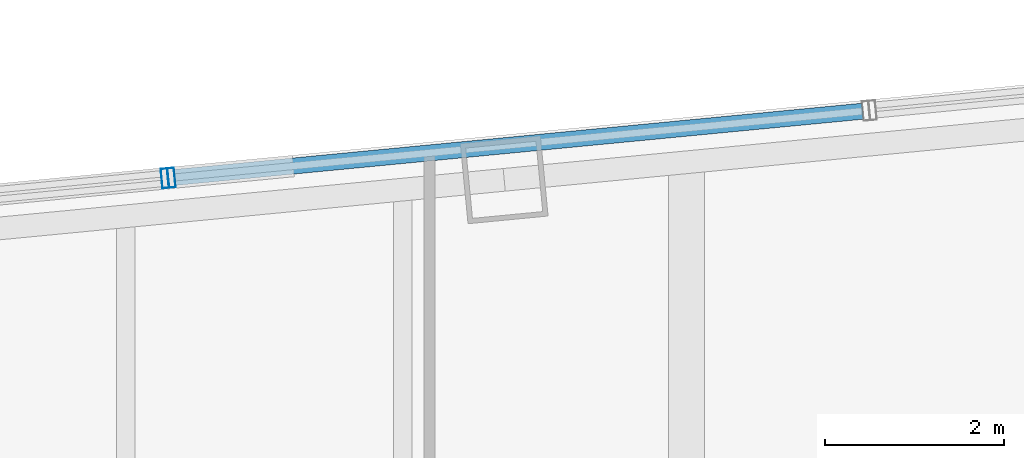
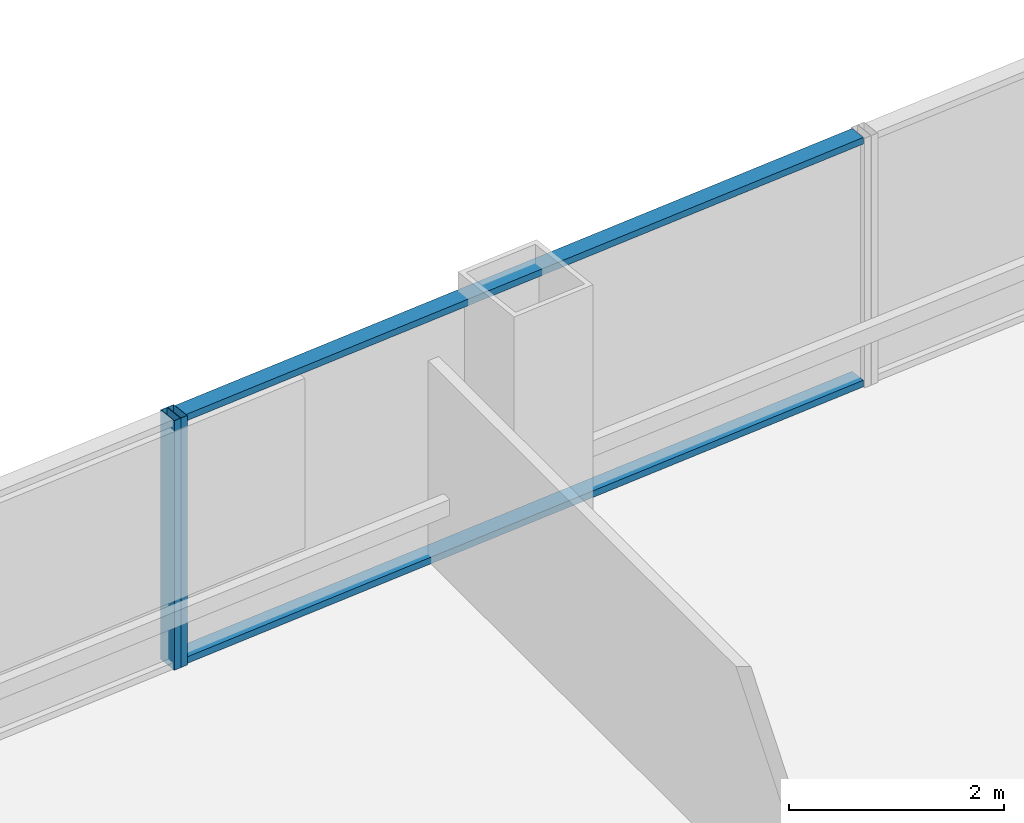
# One storey, part 22 of 32: 4 members, 2 elements without a shape of their own.
"""IFC4 building model written with IfcOpenShell, lengths in metres."""

from ifc_helpers import new_model, si_unit, direction, frame, origin, origin_2d, place, context, subcontext, project, spatial, hollow_rectangle, extrude, material, layer, layer_set, material_profile, profile_set, type_object, element, aggregate, save


model = new_model("IFC4")

# Units and contexts
model_context = context("Model", 3, precision=1e-05, world=origin(), true_north=direction((0.0, 1.0)))
body_context = subcontext(model_context, "Body", "Model", "MODEL_VIEW")
ifc_project = project(units=[si_unit("LENGTHUNIT", "METRE"), si_unit("AREAUNIT", "SQUARE_METRE"), si_unit("VOLUMEUNIT", "CUBIC_METRE"), si_unit("PLANEANGLEUNIT", "RADIAN"), si_unit("MASSUNIT", "GRAM", prefix="KILO")], contexts=[model_context])

# Site, building, storey
site_placement = place(None, origin())
site = spatial("IfcSite", under=ifc_project, at=site_placement, CompositionType="ELEMENT")
building_placement = place(site_placement, origin())
building = spatial("IfcBuilding", under=site, at=building_placement, Name="Qhalaya Broadcast Tower", CompositionType="ELEMENT")
storey_placement = place(building_placement, frame((0.0, 0.0, 87.75)))
storey = spatial("IfcBuildingStorey", under=building, at=storey_placement, Name="L25", CompositionType="ELEMENT", Elevation=87.75)

# Curtain wall, member
ifc_material_1 = material(Name="Fired Architectural Terracotta", Category="masonry")
ifc_layer_1 = layer(ifc_material_1, 0.219970703125, Name="Fired Architectural Terracotta")
ifc_layer_set_1 = layer_set([ifc_layer_1], Name="Fired Architectural Terracotta")
curtain_wall_type_1 = type_object("IfcCurtainWallType", Name="Block-Cap Unitised Terracotta Spandrel Wall CW-07", PredefinedType="NOTDEFINED", material=ifc_layer_set_1)
curtain_wall_1_placement = place(storey_placement, origin())
curtain_wall_1 = element("IfcCurtainWall", 1, at=curtain_wall_1_placement, inside=storey, type_object=curtain_wall_type_1, Name="L25 Unitised Curtain Wall L25-CW-N3", PredefinedType="NOTDEFINED")
ifc_material_2 = material(Name="Anodised Aluminium 6063-T6", Category="aluminium")
ifc_material_profile_1 = material_profile(ifc_material_2, hollow_rectangle(XDim=0.074951171875, YDim=0.219970703125, WallThickness=0.00390625, at=origin_2d()), Name="ALU-MUL 75x220x4")
ifc_profile_set_1 = profile_set([ifc_material_profile_1], Name="Anodised Aluminium 6063-T6")
member_type_1 = type_object("IfcMemberType", Name="Unitised Curtain-Wall Mullion M01", PredefinedType="MULLION", material=ifc_profile_set_1)
member_1_placement = place(storey_placement, frame((3.613037109375, 28.140380859375, 0.0), z_axis=(0.0, 0.0, 1.0), x_axis=(-0.995396908899, -0.095838373083, 0.0)))
member_1 = element("IfcMember", 2, at=member_1_placement, type_object=member_type_1, Name="CW-07 mullion 2", PredefinedType="MULLION", context=body_context, shape_type="SweptSolid", body=[
    extrude(hollow_rectangle(XDim=0.074951171875, YDim=0.219970703125, WallThickness=0.00390625, at=origin_2d()), origin(), (0.0, 0.0, 1.0), 2.830078125),
])

ifc_material_3 = material(Name="Solar-Control Low-E Triple Glazing", Category="glass")
ifc_layer_2 = layer(ifc_material_3, 0.219970703125, Name="Solar-Control Low-E Triple Glazing")
ifc_layer_set_2 = layer_set([ifc_layer_2], Name="Solar-Control Low-E Triple Glazing")
curtain_wall_type_2 = type_object("IfcCurtainWallType", Name="Even-Block 4-Storey Double-Module Curtain Wall CW-03", PredefinedType="NOTDEFINED", material=ifc_layer_set_2)
curtain_wall_2_placement = place(storey_placement, origin())
curtain_wall_2 = element("IfcCurtainWall", 3, at=curtain_wall_2_placement, inside=storey, type_object=curtain_wall_type_2, Name="L25 Unitised Curtain Wall L25-CW-N4", PredefinedType="NOTDEFINED")
member_2_placement = place(storey_placement, frame((3.538330078125, 28.133056640625, 0.0), z_axis=(0.0, 0.0, 1.0), x_axis=(-0.995394623965, -0.095862101904, 0.0)))
member_2 = element("IfcMember", 4, at=member_2_placement, type_object=member_type_1, Name="CW-03 mullion 1", PredefinedType="MULLION", context=body_context, shape_type="SweptSolid", body=[
    extrude(hollow_rectangle(XDim=0.074951171875, YDim=0.219970703125, WallThickness=0.00390625, at=origin_2d()), origin(), (0.0, 0.0, 1.0), 2.830078125),
])
aggregate(curtain_wall_2, [member_2])

# Member
ifc_material_profile_2 = material_profile(ifc_material_2, hollow_rectangle(XDim=0.074951171875, YDim=0.179931640625, WallThickness=0.00390625, at=origin_2d()), Name="ALU-TRN 75x180x4")
ifc_profile_set_2 = profile_set([ifc_material_profile_2], Name="Anodised Aluminium 6063-T6")
member_type_2 = type_object("IfcMemberType", Name="Unitised Curtain-Wall Transom T01", PredefinedType="USERDEFINED", material=ifc_profile_set_2)
member_3_placement = place(storey_placement, frame((11.345703125, 28.884765625, 0.03759765625), z_axis=(-0.99539629116, -0.095844788822, 0.0), x_axis=(0.0, 0.0, 1.0)))
member_3 = element("IfcMember", 5, at=member_3_placement, type_object=member_type_2, Name="CW-07 transom 1.1", ObjectType="TRANSOM", PredefinedType="USERDEFINED", context=body_context, shape_type="SweptSolid", body=[
    extrude(hollow_rectangle(XDim=0.074951171875, YDim=0.179931640625, WallThickness=0.00390625, at=origin_2d()), origin(), (0.0, 0.0, 1.0), 7.73095703125),
])

member_4_placement = place(storey_placement, frame((11.345703125, 28.884765625, 2.79248046875), z_axis=(-0.99539629116, -0.095844788822, 0.0), x_axis=(0.0, 0.0, 1.0)))
member_4 = element("IfcMember", 6, at=member_4_placement, type_object=member_type_2, Name="CW-07 transom 1.2", ObjectType="TRANSOM", PredefinedType="USERDEFINED", context=body_context, shape_type="SweptSolid", body=[
    extrude(hollow_rectangle(XDim=0.074951171875, YDim=0.179931640625, WallThickness=0.00390625, at=origin_2d()), origin(), (0.0, 0.0, 1.0), 7.73095703125),
])

aggregate(curtain_wall_1, [member_1, member_3, member_4])

save(model, "model.ifc")
